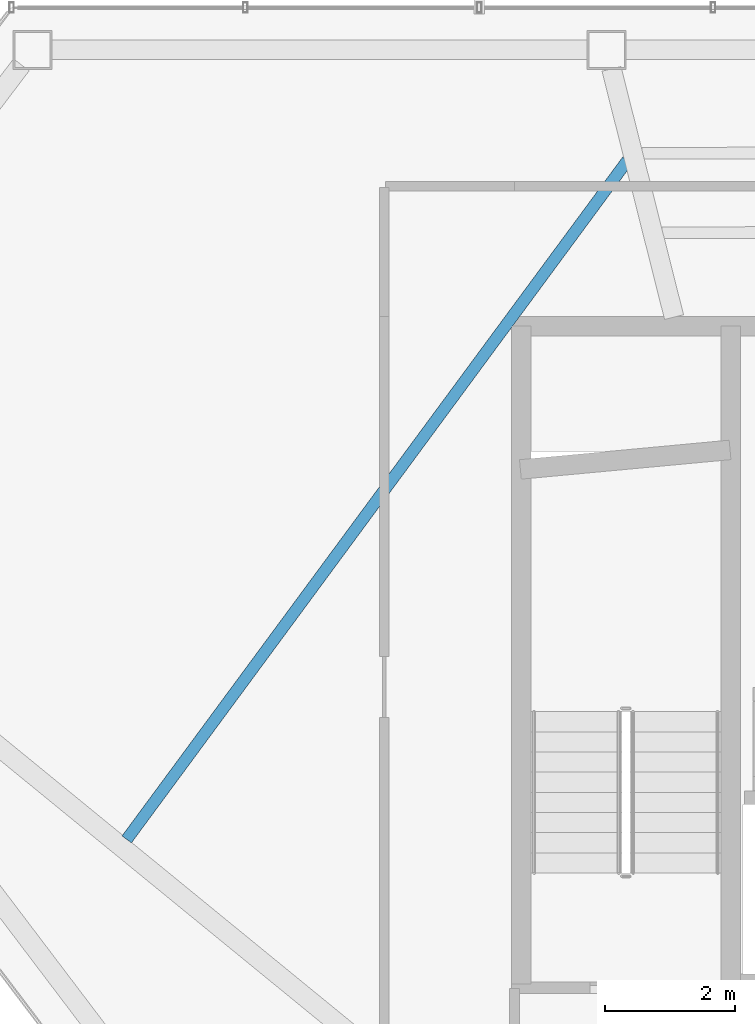
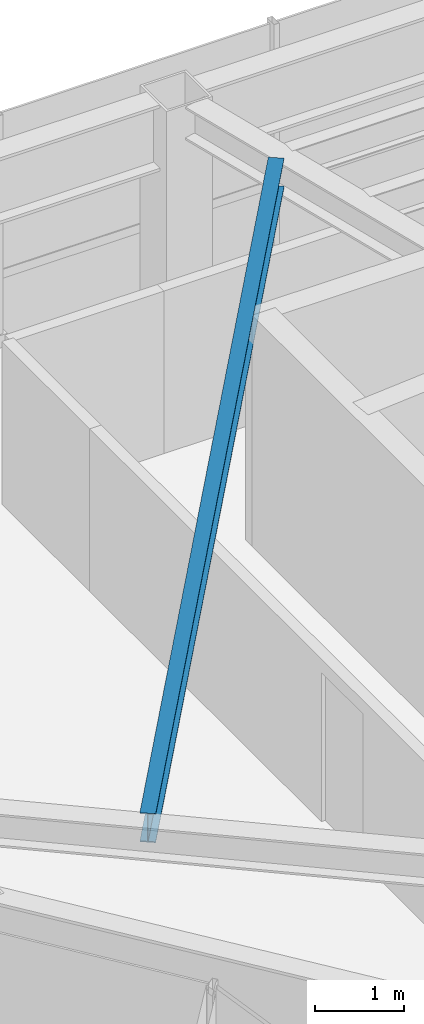
# One storey, part 11 of 28: 1 beam.
"""IFC4 building model written with IfcOpenShell, lengths in metres."""

from ifc_helpers import new_model, si_unit, direction, frame, origin, origin_2d, place, context, subcontext, project, spatial, i_section, extrude, material, material_profile, profile_set, type_object, element, save


model = new_model("IFC4")

# Units and contexts
model_context = context("Model", 3, precision=1e-05, world=origin(), true_north=direction((0.0, 1.0)))
body_context = subcontext(model_context, "Body", "Model", "MODEL_VIEW")
ifc_project = project(units=[si_unit("LENGTHUNIT", "METRE"), si_unit("AREAUNIT", "SQUARE_METRE"), si_unit("VOLUMEUNIT", "CUBIC_METRE"), si_unit("PLANEANGLEUNIT", "RADIAN"), si_unit("MASSUNIT", "GRAM", prefix="KILO")], contexts=[model_context])

# Site, building, storey
site_placement = place(None, origin())
site = spatial("IfcSite", under=ifc_project, at=site_placement, CompositionType="ELEMENT")
building_placement = place(site_placement, origin())
building = spatial("IfcBuilding", under=site, at=building_placement, Name="Zarrinselat Tower", CompositionType="ELEMENT")
storey_placement = place(building_placement, frame((0.0, 0.0, 222.360107421875)))
storey = spatial("IfcBuildingStorey", under=building, at=storey_placement, Name="L55", CompositionType="ELEMENT", Elevation=222.360107421875)

# Beam
ifc_material = material(Name="Steel S355J2", Category="steel")
ifc_material_profile = material_profile(ifc_material, i_section(OverallWidth=0.179931640625, OverallDepth=0.39990234375, WebThickness=0.008544921875, FlangeThickness=0.013427734375, at=origin_2d()), Name="IPE 400")
ifc_profile_set = profile_set([ifc_material_profile], Name="Steel S355J2")
beam_type = type_object("IfcBeamType", Name="BM-IPE400", PredefinedType="JOIST", material=ifc_profile_set)
beam_placement = place(storey_placement, frame((22.593505859375, 35.517822265625, 2.97998046875), z_axis=(0.593569915781, 0.804782427169, 0.0), x_axis=(-0.804782427169, 0.593569915781, 0.0)))
element("IfcBeam", 1, at=beam_placement, inside=storey, type_object=beam_type, Name="L55 Composite Floor Joist 9-1", PredefinedType="JOIST", context=body_context, shape_type="SweptSolid", body=[
    extrude(i_section(OverallWidth=0.179931640625, OverallDepth=0.39990234375, WebThickness=0.008544921875, FlangeThickness=0.013427734375, at=origin_2d()), origin(), (0.0, 0.0, 1.0), 12.9541015625),
])

save(model, "model.ifc")
